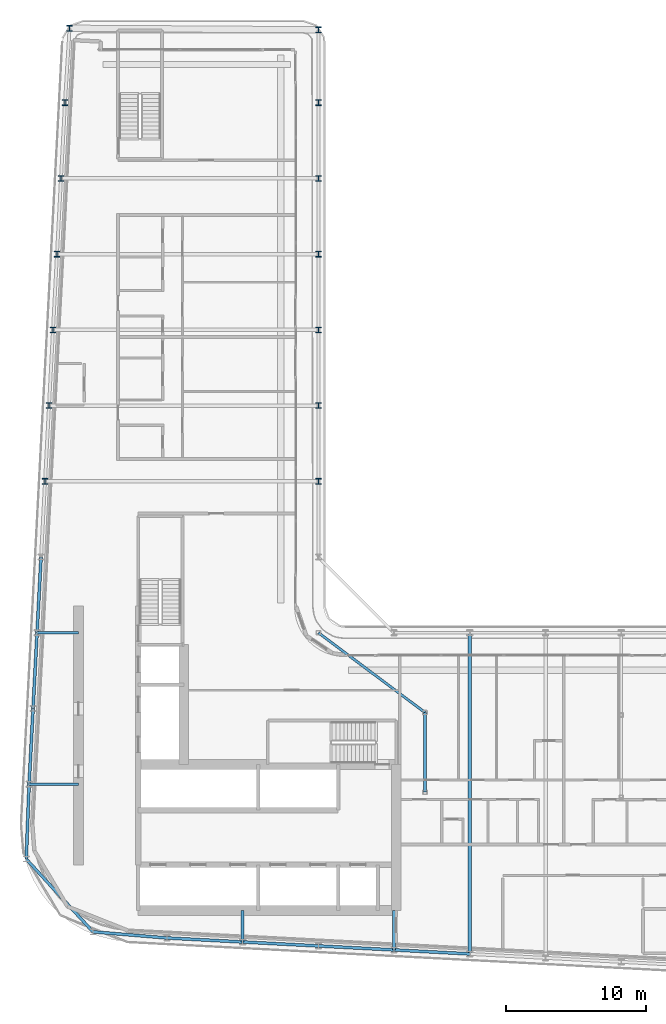
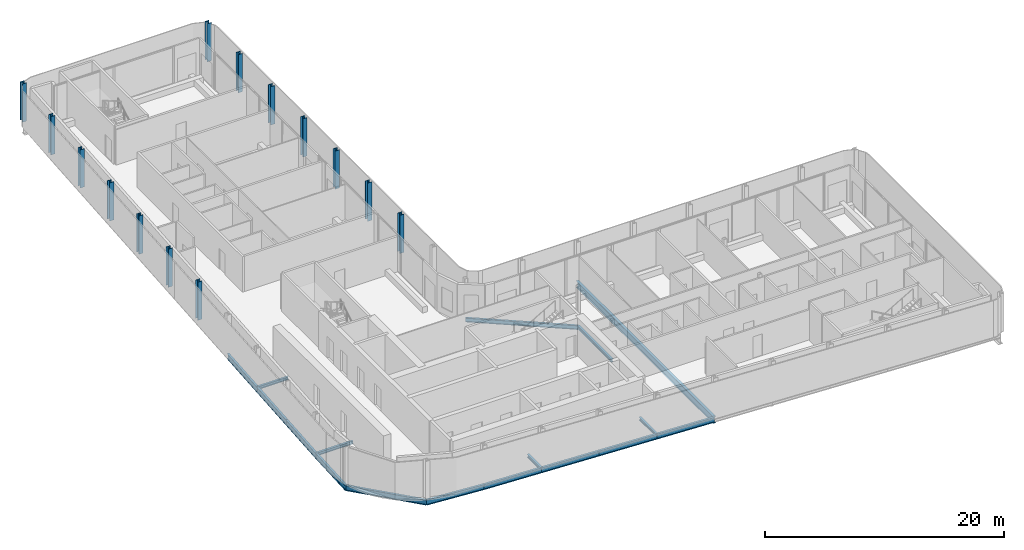
# One storey, part 3 of 21: 17 beams, 14 columns.
"""IFC4 building model written with IfcOpenShell, lengths in metres."""

from ifc_helpers import new_model, si_unit, direction, frame, origin, origin_2d, place, context, subcontext, project, spatial, i_section, extrude, material, material_profile, profile_set, type_object, element, save


model = new_model("IFC4")

# Units and contexts
model_context = context("Model", 3, precision=1e-05, world=origin(), true_north=direction((0.0, 1.0)))
body_context = subcontext(model_context, "Body", "Model", "MODEL_VIEW")
ifc_project = project(units=[si_unit("LENGTHUNIT", "METRE"), si_unit("AREAUNIT", "SQUARE_METRE"), si_unit("VOLUMEUNIT", "CUBIC_METRE"), si_unit("PLANEANGLEUNIT", "RADIAN"), si_unit("MASSUNIT", "GRAM", prefix="KILO")], contexts=[model_context])

# Site, building, storey
site_placement = place(None, origin())
site = spatial("IfcSite", under=ifc_project, at=site_placement, CompositionType="ELEMENT")
building_placement = place(site_placement, origin())
building = spatial("IfcBuilding", under=site, at=building_placement, Name="Kheshtan School and Residences Tower", CompositionType="ELEMENT")
storey_placement = place(building_placement, frame((0.0, 0.0, 220.10009765625)))
storey = spatial("IfcBuildingStorey", under=building, at=storey_placement, Name="L51", CompositionType="ELEMENT", Elevation=220.10009765625)

# Columns
ifc_material = material(Name="Steel ASTM A992 Grade 50", Category="steel")
ifc_material_profile_1 = material_profile(ifc_material, i_section(OverallWidth=0.404052734375, OverallDepth=0.406982421875, WebThickness=0.027099609375, FlangeThickness=0.043701171875, FilletRadius=0.01220703125, at=origin_2d()), Name="W360x347")
ifc_profile_set_1 = profile_set([ifc_material_profile_1], Name="Steel ASTM A992 Grade 50")
column_type = type_object("IfcColumnType", Name="Column C4 W360x347 ASTM A992 Grade 50", PredefinedType="COLUMN", material=ifc_profile_set_1)
for number, where, z_axis, x_axis, name in (
    (1, (28.10595703125, 56.39990234375, 0.0), (0.0, 0.0, 1.0), (1.0, 0.0, 0.0), "Column C080"),
    (2, (47.60009765625, 56.39990234375, 0.0), (0.0, 0.0, 1.0), (1.0, 0.0, 0.0), "Column C081"),
    (3, (28.389892578125, 61.800048828125, 0.0), (0.0, 0.0, 1.0), (1.0, 0.0, 0.0), "Column C082"),
    (4, (47.60009765625, 61.800048828125, 0.0), (0.0, 0.0, 1.0), (1.0, 0.0, 0.0), "Column C083"),
    (5, (28.674072265625, 67.199951171875, 0.0), (0.0, 0.0, 1.0), (1.0, 0.0, 0.0), "Column C084"),
    (6, (47.60009765625, 67.199951171875, 0.0), (0.0, 0.0, 1.0), (1.0, 0.0, 0.0), "Column C085"),
    (7, (28.9580078125, 72.60009765625, 0.0), (0.0, 0.0, 1.0), (1.0, 0.0, 0.0), "Column C086"),
    (8, (47.60009765625, 72.60009765625, 0.0), (0.0, 0.0, 1.0), (1.0, 0.0, 0.0), "Column C087"),
    (9, (29.242919921875, 78.0, 0.0), (0.0, 0.0, 1.0), (1.0, 0.0, 0.0), "Column C088"),
    (10, (47.60009765625, 78.0, 0.0), (0.0, 0.0, 1.0), (1.0, 0.0, 0.0), "Column C089"),
    (11, (29.527099609375, 83.39990234375, 0.0), (0.0, 0.0, 1.0), (1.0, 0.0, 0.0), "Column C090"),
    (12, (47.60009765625, 83.39990234375, 0.0), (0.0, 0.0, 1.0), (1.0, 0.0, 0.0), "Column C091"),
    (13, (47.611083984375, 88.60009765625, 0.0), (0.0, 0.0, 1.0), (1.0, 0.0, 0.0), "Column C093"),
    (14, (29.85400390625, 88.7099609375, 0.0), (0.0, 0.0, 1.0), (1.0, 0.0, 0.0), "Column C096"),
):
    element("IfcColumn", number, at=place(storey_placement, frame(where, z_axis=z_axis, x_axis=x_axis)), inside=storey, type_object=column_type, Name=name, PredefinedType="COLUMN", context=body_context, shape_type="SweptSolid", body=[
        extrude(i_section(OverallWidth=0.404052734375, OverallDepth=0.406982421875, WebThickness=0.027099609375, FlangeThickness=0.043701171875, FilletRadius=0.01220703125, at=origin_2d()), origin(), (0.0, 0.0, 1.0), 3.89990234375),
    ])

# Beams
ifc_material_profile_2 = material_profile(ifc_material, i_section(OverallWidth=0.202880859375, OverallDepth=0.302978515625, WebThickness=0.007568359375, FlangeThickness=0.01318359375, FilletRadius=0.009033203125, at=origin_2d()), Name="W310x60")
ifc_profile_set_2 = profile_set([ifc_material_profile_2], Name="Steel ASTM A992 Grade 50")
beam_type_1 = type_object("IfcBeamType", Name="Beam FB1 W310x60 ASTM A992 Grade 50", PredefinedType="BEAM", material=ifc_profile_set_2)
beam_1_placement = place(storey_placement, frame((53.0, 22.97998046875, -0.301513671875), z_axis=(0.0, 1.0, 0.0), x_axis=(-1.0, 0.0, 0.0)))
element("IfcBeam", 15, at=beam_1_placement, inside=storey, type_object=beam_type_1, Name="Floor beam C019", PredefinedType="BEAM", context=body_context, shape_type="SweptSolid", body=[
    extrude(i_section(OverallWidth=0.202880859375, OverallDepth=0.302978515625, WebThickness=0.007568359375, FlangeThickness=0.01318359375, FilletRadius=0.009033203125, at=origin_2d()), origin(), (0.0, 0.0, 1.0), 2.820068359375),
])
beam_2_placement = place(storey_placement, frame((42.199951171875, 23.548095703125, -0.301513671875), z_axis=(0.0, 1.0, 0.0), x_axis=(-1.0, 0.0, 0.0)))
element("IfcBeam", 16, at=beam_2_placement, inside=storey, type_object=beam_type_1, Name="Floor beam C021", PredefinedType="BEAM", context=body_context, shape_type="SweptSolid", body=[
    extrude(i_section(OverallWidth=0.202880859375, OverallDepth=0.302978515625, WebThickness=0.007568359375, FlangeThickness=0.01318359375, FilletRadius=0.009033203125, at=origin_2d()), origin(), (0.0, 0.0, 1.0), 2.251953125),
])
beam_3_placement = place(storey_placement, frame((26.968994140625, 34.800048828125, -0.301513671875), z_axis=(1.0, 0.0, 0.0), x_axis=(0.0, 1.0, 0.0)))
element("IfcBeam", 17, at=beam_3_placement, inside=storey, type_object=beam_type_1, Name="Floor beam C052", PredefinedType="BEAM", context=body_context, shape_type="SweptSolid", body=[
    extrude(i_section(OverallWidth=0.202880859375, OverallDepth=0.302978515625, WebThickness=0.007568359375, FlangeThickness=0.01318359375, FilletRadius=0.009033203125, at=origin_2d()), origin(), (0.0, 0.0, 1.0), 3.531005859375),
])
beam_4_placement = place(storey_placement, frame((27.537109375, 45.60009765625, -0.301513671875), z_axis=(1.0, 0.0, 0.0), x_axis=(0.0, 1.0, 0.0)))
element("IfcBeam", 18, at=beam_4_placement, inside=storey, type_object=beam_type_1, Name="Floor beam C059", PredefinedType="BEAM", context=body_context, shape_type="SweptSolid", body=[
    extrude(i_section(OverallWidth=0.202880859375, OverallDepth=0.302978515625, WebThickness=0.007568359375, FlangeThickness=0.01318359375, FilletRadius=0.009033203125, at=origin_2d()), origin(), (0.0, 0.0, 1.0), 2.962890625),
])
beam_5_placement = place(storey_placement, frame((55.199951171875, 34.23193359375, -0.301513671875), z_axis=(0.0, 1.0, 0.0), x_axis=(-1.0, 0.0, 0.0)))
element("IfcBeam", 19, at=beam_5_placement, inside=storey, type_object=beam_type_1, Name="Floor beam IC", PredefinedType="BEAM", context=body_context, shape_type="SweptSolid", body=[
    extrude(i_section(OverallWidth=0.202880859375, OverallDepth=0.302978515625, WebThickness=0.007568359375, FlangeThickness=0.01318359375, FilletRadius=0.009033203125, at=origin_2d()), origin(), (0.0, 0.0, 1.0), 5.68408203125),
])
ifc_material_profile_3 = material_profile(ifc_material, i_section(OverallWidth=0.180908203125, OverallDepth=0.4169921875, WebThickness=0.010986328125, FlangeThickness=0.018310546875, FilletRadius=0.012451171875, at=origin_2d()), Name="W410x85")
ifc_profile_set_3 = profile_set([ifc_material_profile_3], Name="Steel ASTM A992 Grade 50")
beam_type_2 = type_object("IfcBeamType", Name="Beam FB3 W410x85 ASTM A992 Grade 50", PredefinedType="BEAM", material=ifc_profile_set_3)
beam_6_placement = place(storey_placement, frame((47.60009765625, 45.60009765625, -0.358642578125), z_axis=(0.800798828004, -0.598933416222, 0.0), x_axis=(0.598933416222, 0.800798828004, 0.0)))
element("IfcBeam", 20, at=beam_6_placement, inside=storey, type_object=beam_type_2, Name="Floor beam IC", PredefinedType="BEAM", context=body_context, shape_type="SweptSolid", body=[
    extrude(i_section(OverallWidth=0.180908203125, OverallDepth=0.4169921875, WebThickness=0.010986328125, FlangeThickness=0.018310546875, FilletRadius=0.012451171875, at=origin_2d()), origin(), (0.0, 0.0, 1.0), 9.490234375),
])
ifc_material_profile_4 = material_profile(ifc_material, i_section(OverallWidth=0.2529296875, OverallDepth=0.677978515625, WebThickness=0.01171875, FlangeThickness=0.016357421875, FilletRadius=0.0146484375, at=origin_2d()), Name="W690x125")
ifc_profile_set_4 = profile_set([ifc_material_profile_4], Name="Steel ASTM A992 Grade 50")
beam_type_3 = type_object("IfcBeamType", Name="Beam FB6 W690x125 ASTM A992 Grade 50", PredefinedType="BEAM", material=ifc_profile_set_4)
beam_7_placement = place(storey_placement, frame((58.39990234375, 45.60009765625, -0.489013671875), z_axis=(0.0, -1.0, 0.0), x_axis=(1.0, 0.0, 0.0)))
element("IfcBeam", 21, at=beam_7_placement, inside=storey, type_object=beam_type_3, Name="Floor beam C062", PredefinedType="BEAM", context=body_context, shape_type="SweptSolid", body=[
    extrude(i_section(OverallWidth=0.2529296875, OverallDepth=0.677978515625, WebThickness=0.01171875, FlangeThickness=0.016357421875, FilletRadius=0.0146484375, at=origin_2d()), origin(), (0.0, 0.0, 1.0), 22.905029296875),
])
ifc_material_profile_5 = material_profile(ifc_material, i_section(OverallWidth=0.208984375, OverallDepth=0.532958984375, WebThickness=0.01025390625, FlangeThickness=0.015625, FilletRadius=0.013916015625, at=origin_2d()), Name="W530x92")
ifc_profile_set_5 = profile_set([ifc_material_profile_5], Name="Steel ASTM A992 Grade 50")
beam_type_4 = type_object("IfcBeamType", Name="Beam SP3 W530x92 ASTM A992 Grade 50", PredefinedType="BEAM", material=ifc_profile_set_5)
for number, where, z_axis, x_axis, name in (
    (22, (58.39990234375, 22.695068359375, -0.41650390625), (-0.998610961136, 0.052689166816, 0.0), (-0.052689166816, -0.998610961136, 0.0), "Spandrel beam C018-C019"),
    (23, (53.0, 22.97998046875, -0.41650390625), (-0.998620447272, 0.05250906864, 0.0), (-0.05250906864, -0.998620447272, 0.0), "Spandrel beam C019-C020"),
):
    element("IfcBeam", number, at=place(storey_placement, frame(where, z_axis=z_axis, x_axis=x_axis)), inside=storey, type_object=beam_type_4, Name=name, PredefinedType="BEAM", context=body_context, shape_type="SweptSolid", body=[
        extrude(i_section(OverallWidth=0.208984375, OverallDepth=0.532958984375, WebThickness=0.01025390625, FlangeThickness=0.015625, FilletRadius=0.013916015625, at=origin_2d()), origin(), (0.0, 0.0, 1.0), 5.407470703125),
    ])
beam_8_placement = place(storey_placement, frame((47.60009765625, 23.263916015625, -0.41650390625), z_axis=(-0.998618203458, 0.052551724256, 0.0), x_axis=(-0.052551724256, -0.998618203458, 0.0)))
element("IfcBeam", 24, at=beam_8_placement, inside=storey, type_object=beam_type_4, Name="Spandrel beam C020-C021", PredefinedType="BEAM", context=body_context, shape_type="SweptSolid", body=[
    extrude(i_section(OverallWidth=0.208984375, OverallDepth=0.532958984375, WebThickness=0.01025390625, FlangeThickness=0.015625, FilletRadius=0.013916015625, at=origin_2d()), origin(), (0.0, 0.0, 1.0), 5.40771484375),
])
beam_9_placement = place(storey_placement, frame((42.199951171875, 23.548095703125, -0.41650390625), z_axis=(-0.998620447272, 0.05250906864, 0.0), x_axis=(-0.05250906864, -0.998620447272, 0.0)))
element("IfcBeam", 25, at=beam_9_placement, inside=storey, type_object=beam_type_4, Name="Spandrel beam C021-C022", PredefinedType="BEAM", context=body_context, shape_type="SweptSolid", body=[
    extrude(i_section(OverallWidth=0.208984375, OverallDepth=0.532958984375, WebThickness=0.01025390625, FlangeThickness=0.015625, FilletRadius=0.013916015625, at=origin_2d()), origin(), (0.0, 0.0, 1.0), 5.407470703125),
])
beam_10_placement = place(storey_placement, frame((36.800048828125, 23.83203125, -0.41650390625), z_axis=(-0.996554342707, 0.082942401897, 0.0), x_axis=(-0.082942401897, -0.996554342707, 0.0)))
element("IfcBeam", 26, at=beam_10_placement, inside=storey, type_object=beam_type_4, Name="Spandrel beam C022-C027", PredefinedType="BEAM", context=body_context, shape_type="SweptSolid", body=[
    extrude(i_section(OverallWidth=0.208984375, OverallDepth=0.532958984375, WebThickness=0.01025390625, FlangeThickness=0.015625, FilletRadius=0.013916015625, at=origin_2d()), origin(), (0.0, 0.0, 1.0), 5.29248046875),
])
beam_11_placement = place(storey_placement, frame((31.52587890625, 24.27099609375, -0.41650390625), z_axis=(-0.676066790823, 0.736840345221, 0.0), x_axis=(-0.736840345221, -0.676066790823, 0.0)))
element("IfcBeam", 27, at=beam_11_placement, inside=storey, type_object=beam_type_4, Name="Spandrel beam C027-C040", PredefinedType="BEAM", context=body_context, shape_type="SweptSolid", body=[
    extrude(i_section(OverallWidth=0.208984375, OverallDepth=0.532958984375, WebThickness=0.01025390625, FlangeThickness=0.015625, FilletRadius=0.013916015625, at=origin_2d()), origin(), (0.0, 0.0, 1.0), 7.042236328125),
])
beam_12_placement = place(storey_placement, frame((26.764892578125, 29.4599609375, -0.41650390625), z_axis=(0.038192751183, 0.999270390714, 0.0), x_axis=(-0.999270390714, 0.038192751183, 0.0)))
element("IfcBeam", 28, at=beam_12_placement, inside=storey, type_object=beam_type_4, Name="Spandrel beam C040-C052", PredefinedType="BEAM", context=body_context, shape_type="SweptSolid", body=[
    extrude(i_section(OverallWidth=0.208984375, OverallDepth=0.532958984375, WebThickness=0.01025390625, FlangeThickness=0.015625, FilletRadius=0.013916015625, at=origin_2d()), origin(), (0.0, 0.0, 1.0), 5.343994140625),
])
beam_13_placement = place(storey_placement, frame((26.968994140625, 34.800048828125, -0.41650390625), z_axis=(0.05250906864, 0.998620447272, 0.0), x_axis=(-0.998620447272, 0.05250906864, 0.0)))
element("IfcBeam", 29, at=beam_13_placement, inside=storey, type_object=beam_type_4, Name="Spandrel beam C052-C056", PredefinedType="BEAM", context=body_context, shape_type="SweptSolid", body=[
    extrude(i_section(OverallWidth=0.208984375, OverallDepth=0.532958984375, WebThickness=0.01025390625, FlangeThickness=0.015625, FilletRadius=0.013916015625, at=origin_2d()), origin(), (0.0, 0.0, 1.0), 5.407470703125),
])
beam_14_placement = place(storey_placement, frame((27.2529296875, 40.199951171875, -0.41650390625), z_axis=(0.052551724256, 0.998618203458, 0.0), x_axis=(-0.998618203458, 0.052551724256, 0.0)))
element("IfcBeam", 30, at=beam_14_placement, inside=storey, type_object=beam_type_4, Name="Spandrel beam C056-C059", PredefinedType="BEAM", context=body_context, shape_type="SweptSolid", body=[
    extrude(i_section(OverallWidth=0.208984375, OverallDepth=0.532958984375, WebThickness=0.01025390625, FlangeThickness=0.015625, FilletRadius=0.013916015625, at=origin_2d()), origin(), (0.0, 0.0, 1.0), 5.40771484375),
])
beam_15_placement = place(storey_placement, frame((27.537109375, 45.60009765625, -0.41650390625), z_axis=(0.052689166816, 0.998610961136, 0.0), x_axis=(-0.998610961136, 0.052689166816, 0.0)))
element("IfcBeam", 31, at=beam_15_placement, inside=storey, type_object=beam_type_4, Name="Spandrel beam C059-C078", PredefinedType="BEAM", context=body_context, shape_type="SweptSolid", body=[
    extrude(i_section(OverallWidth=0.208984375, OverallDepth=0.532958984375, WebThickness=0.01025390625, FlangeThickness=0.015625, FilletRadius=0.013916015625, at=origin_2d()), origin(), (0.0, 0.0, 1.0), 5.407470703125),
])

save(model, "model.ifc")
